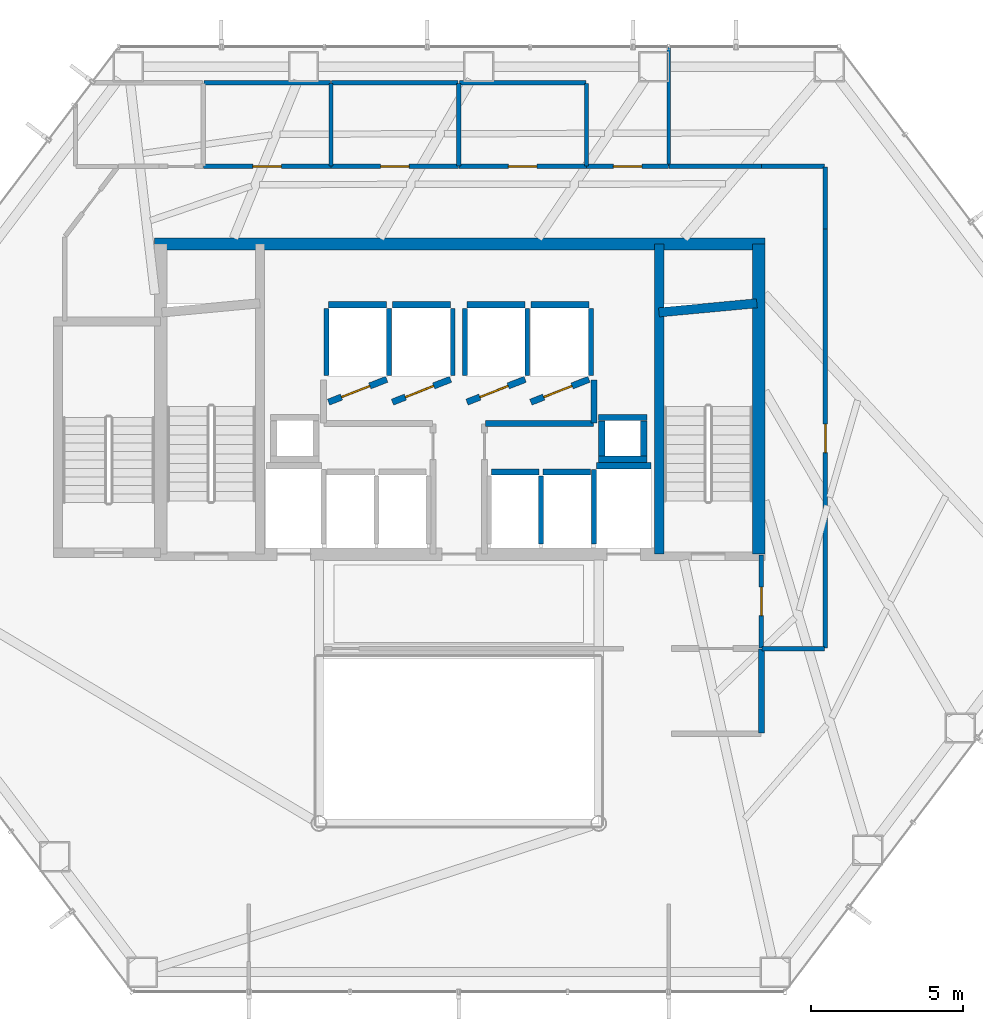
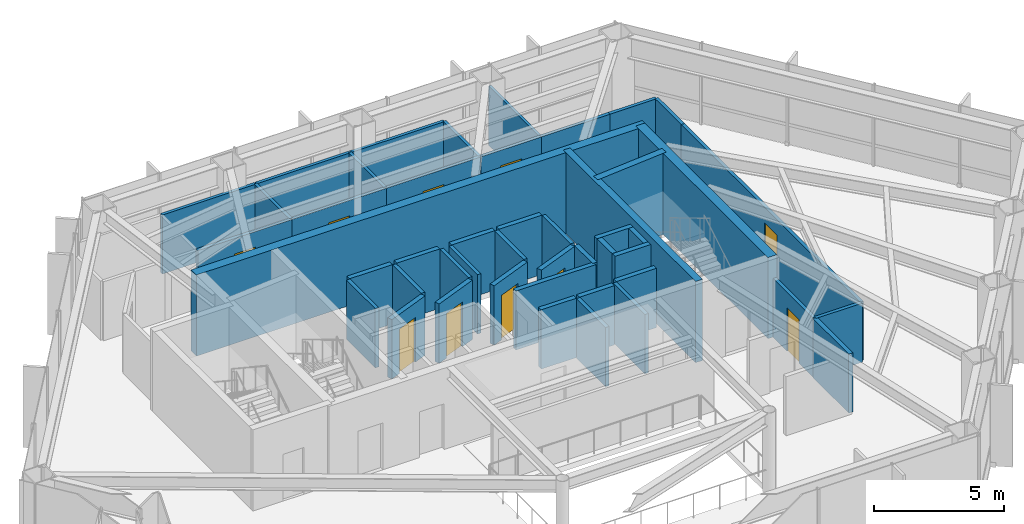
# One storey, part 23 of 25: 47 walls, 10 doors, 10 openings.
"""IFC4 building model written with IfcOpenShell, lengths in metres."""

from ifc_helpers import new_model, si_unit, direction, frame, frame_2d, origin, place, context, subcontext, project, spatial, rectangle, extrude, material, layer, layer_set, type_object, element, fill, save


model = new_model("IFC4")

# Units and contexts
model_context = context("Model", 3, precision=1e-05, world=origin(), true_north=direction((0.0, 1.0)))
body_context = subcontext(model_context, "Body", "Model", "MODEL_VIEW")
ifc_project = project(units=[si_unit("LENGTHUNIT", "METRE"), si_unit("AREAUNIT", "SQUARE_METRE"), si_unit("VOLUMEUNIT", "CUBIC_METRE"), si_unit("PLANEANGLEUNIT", "RADIAN"), si_unit("MASSUNIT", "GRAM", prefix="KILO")], contexts=[model_context])

# Site, building, storey
site_placement = place(None, origin())
site = spatial("IfcSite", under=ifc_project, at=site_placement, CompositionType="ELEMENT")
building_placement = place(site_placement, origin())
building = spatial("IfcBuilding", under=site, at=building_placement, Name="Zarrinselat Tower", CompositionType="ELEMENT")
storey_placement = place(building_placement, frame((0.0, 0.0, 52.02001953125)))
storey = spatial("IfcBuildingStorey", under=building, at=storey_placement, Name="L12", CompositionType="ELEMENT", Elevation=52.02001953125)

# Wall
ifc_material_1 = material(Name="Concrete C40/50", Category="concrete")
ifc_layer_1 = layer(ifc_material_1, 0.18994140625)
ifc_layer_set_1 = layer_set([ifc_layer_1], Name="Concrete C40/50")
wall_type_1 = type_object("IfcWallType", Name="WAL-PART-EI120", PredefinedType="PARTITIONING", material=ifc_layer_set_1)
wall_1_placement = place(storey_placement, frame((48.35009765625, 27.3701171875, 0.0), z_axis=(0.0, 0.0, 1.0), x_axis=(0.0, 1.0, 0.0)))
element("IfcWall", 1, at=wall_1_placement, inside=storey, type_object=wall_type_1, Name="L12 Partition Wall 11", PredefinedType="PARTITIONING", context=body_context, shape_type="SweptSolid", body=[
    extrude(rectangle(XDim=2.759765625, YDim=0.18994140625, at=frame_2d((1.3798828125, 0.0))), origin(), (0.0, 0.0, 1.0), 2.777099609375),
])

# Wall, opening, door
ifc_material_2 = material(Name="Fire-Rated Gypsum Board Partition", Category="gypsum")
ifc_layer_2 = layer(ifc_material_2, 0.14990234375)
ifc_layer_set_2 = layer_set([ifc_layer_2], Name="Fire-Rated Gypsum Board Partition")
wall_type_2 = type_object("IfcWallType", Name="WAL-PART-EI60", PredefinedType="PARTITIONING", material=ifc_layer_set_2)
wall_2_placement = place(storey_placement, frame((48.35009765625, 30.169921875, 0.0), z_axis=(0.0, 0.0, 1.0), x_axis=(0.0, 1.0, 0.0)))
wall_2 = element("IfcWall", 2, at=wall_2_placement, inside=storey, type_object=wall_type_2, Name="L12 Partition Wall 8", PredefinedType="PARTITIONING", context=body_context, shape_type="SweptSolid", body=[
    extrude(rectangle(XDim=3.06005859375, YDim=0.14990234375, at=frame_2d((1.530029296875, 0.0))), origin(), (0.0, 0.0, 1.0), 2.777099609375),
])
opening_1_placement = place(wall_2_placement, frame((1.06005859375, 0.0, 0.0)))
opening_1 = element("IfcOpeningElement", 3, at=opening_1_placement, cuts=wall_2, Name="Opening ID-04", PredefinedType="OPENING", context=body_context, shape_type="SweptSolid", body=[
    extrude(rectangle(XDim=0.93994140625, YDim=2.050048828125, at=frame_2d((0.469970703125, 1.02490234375))), frame((0.0, 0.0849609375, 0.0), z_axis=(0.0, -1.0, 0.0), x_axis=(1.0, 0.0, 0.0)), (0.0, 0.0, 1.0), 0.169921875),
])
ifc_material_3 = material(Name="Fire-Rated Gypsum Board Partition")
door_type_1 = type_object("IfcDoorType", Name="DR-INT-FD30-ENT", OperationType="NOTDEFINED", PredefinedType="DOOR", material=ifc_material_3)
door_1_placement = place(opening_1_placement, origin())
door_1 = element("IfcDoor", 4, at=door_1_placement, inside=storey, type_object=door_type_1, Name="L12 Interior Door P8", OperationType="SINGLE_SWING_RIGHT", OverallHeight=2.050048828125, OverallWidth=0.93994140625, PredefinedType="DOOR", context=body_context, shape_type="SweptSolid", body=[
    extrude(rectangle(XDim=0.93994140625, YDim=2.050048828125, at=frame_2d((0.469970703125, 1.02490234375))), frame((0.0, 0.02490234375, 0.0), z_axis=(0.0, -1.0, 0.0), x_axis=(1.0, 0.0, 0.0)), (0.0, 0.0, 1.0), 0.050048828125),
])
fill(opening_1, door_1)

wall_3_placement = place(storey_placement, frame((30.0048828125, 46.0, 0.0), z_axis=(0.0, 0.0, 1.0), x_axis=(1.0, 0.0, 0.0)))
wall_3 = element("IfcWall", 5, at=wall_3_placement, inside=storey, type_object=wall_type_2, Name="L12 Partition Wall 14", PredefinedType="PARTITIONING", context=body_context, shape_type="SweptSolid", body=[
    extrude(rectangle(XDim=4.190185546875, YDim=0.14990234375, at=frame_2d((2.09521484375, 0.0))), origin(), (0.0, 0.0, 1.0), 2.777099609375),
])
opening_2_placement = place(wall_3_placement, frame((1.625, 0.0, 0.0)))
opening_2 = element("IfcOpeningElement", 6, at=opening_2_placement, cuts=wall_3, Name="Opening ID-04", PredefinedType="OPENING", context=body_context, shape_type="SweptSolid", body=[
    extrude(rectangle(XDim=0.93994140625, YDim=2.050048828125, at=frame_2d((0.469970703125, 1.02490234375))), frame((0.0, 0.0849609375, 0.0), z_axis=(0.0, -1.0, 0.0), x_axis=(1.0, 0.0, 0.0)), (0.0, 0.0, 1.0), 0.169921875),
])
door_2_placement = place(opening_2_placement, origin())
door_2 = element("IfcDoor", 7, at=door_2_placement, inside=storey, type_object=door_type_1, Name="L12 Interior Door P14", OperationType="SINGLE_SWING_LEFT", OverallHeight=2.050048828125, OverallWidth=0.93994140625, PredefinedType="DOOR", context=body_context, shape_type="SweptSolid", body=[
    extrude(rectangle(XDim=0.93994140625, YDim=2.050048828125, at=frame_2d((0.469970703125, 1.02490234375))), frame((0.0, 0.02490234375, 0.0), z_axis=(0.0, -1.0, 0.0), x_axis=(1.0, 0.0, 0.0)), (0.0, 0.0, 1.0), 0.050048828125),
])
fill(opening_2, door_2)

wall_4_placement = place(storey_placement, frame((34.205078125, 46.0, 0.0), z_axis=(0.0, 0.0, 1.0), x_axis=(1.0, 0.0, 0.0)))
wall_4 = element("IfcWall", 8, at=wall_4_placement, inside=storey, type_object=wall_type_2, Name="L12 Partition Wall 15", PredefinedType="PARTITIONING", context=body_context, shape_type="SweptSolid", body=[
    extrude(rectangle(XDim=4.18994140625, YDim=0.14990234375, at=frame_2d((2.094970703125, 0.0))), origin(), (0.0, 0.0, 1.0), 2.777099609375),
])
opening_3_placement = place(wall_4_placement, frame((1.625, 0.0, 0.0)))
opening_3 = element("IfcOpeningElement", 9, at=opening_3_placement, cuts=wall_4, Name="Opening ID-04", PredefinedType="OPENING", context=body_context, shape_type="SweptSolid", body=[
    extrude(rectangle(XDim=0.93994140625, YDim=2.050048828125, at=frame_2d((0.469970703125, 1.02490234375))), frame((0.0, 0.0849609375, 0.0), z_axis=(0.0, -1.0, 0.0), x_axis=(1.0, 0.0, 0.0)), (0.0, 0.0, 1.0), 0.169921875),
])
door_3_placement = place(opening_3_placement, origin())
door_3 = element("IfcDoor", 10, at=door_3_placement, inside=storey, type_object=door_type_1, Name="L12 Interior Door P15", OperationType="SINGLE_SWING_RIGHT", OverallHeight=2.050048828125, OverallWidth=0.93994140625, PredefinedType="DOOR", context=body_context, shape_type="SweptSolid", body=[
    extrude(rectangle(XDim=0.93994140625, YDim=2.050048828125, at=frame_2d((0.469970703125, 1.02490234375))), frame((0.0, 0.02490234375, 0.0), z_axis=(0.0, -1.0, 0.0), x_axis=(1.0, 0.0, 0.0)), (0.0, 0.0, 1.0), 0.050048828125),
])
fill(opening_3, door_3)

wall_5_placement = place(storey_placement, frame((38.405029296875, 46.0, 0.0), z_axis=(0.0, 0.0, 1.0), x_axis=(1.0, 0.0, 0.0)))
wall_5 = element("IfcWall", 11, at=wall_5_placement, inside=storey, type_object=wall_type_2, Name="L12 Partition Wall 16", PredefinedType="PARTITIONING", context=body_context, shape_type="SweptSolid", body=[
    extrude(rectangle(XDim=4.18994140625, YDim=0.14990234375, at=frame_2d((2.094970703125, 0.0))), origin(), (0.0, 0.0, 1.0), 2.777099609375),
])
opening_4_placement = place(wall_5_placement, frame((1.625, 0.0, 0.0)))
opening_4 = element("IfcOpeningElement", 12, at=opening_4_placement, cuts=wall_5, Name="Opening ID-04", PredefinedType="OPENING", context=body_context, shape_type="SweptSolid", body=[
    extrude(rectangle(XDim=0.93994140625, YDim=2.050048828125, at=frame_2d((0.469970703125, 1.02490234375))), frame((0.0, 0.0849609375, 0.0), z_axis=(0.0, -1.0, 0.0), x_axis=(1.0, 0.0, 0.0)), (0.0, 0.0, 1.0), 0.169921875),
])
door_4_placement = place(opening_4_placement, origin())
door_4 = element("IfcDoor", 13, at=door_4_placement, inside=storey, type_object=door_type_1, Name="L12 Interior Door P16", OperationType="SINGLE_SWING_LEFT", OverallHeight=2.050048828125, OverallWidth=0.93994140625, PredefinedType="DOOR", context=body_context, shape_type="SweptSolid", body=[
    extrude(rectangle(XDim=0.93994140625, YDim=2.050048828125, at=frame_2d((0.469970703125, 1.02490234375))), frame((0.0, 0.02490234375, 0.0), z_axis=(0.0, -1.0, 0.0), x_axis=(1.0, 0.0, 0.0)), (0.0, 0.0, 1.0), 0.050048828125),
])
fill(opening_4, door_4)

# Walls
wall_6_placement = place(storey_placement, frame((45.304931640625, 46.0, 0.0), z_axis=(0.0, 0.0, 1.0), x_axis=(1.0, 0.0, 0.0)))
element("IfcWall", 14, at=wall_6_placement, inside=storey, type_object=wall_type_2, Name="L12 Partition Wall 19", PredefinedType="PARTITIONING", context=body_context, shape_type="SweptSolid", body=[
    extrude(rectangle(XDim=3.045166015625, YDim=0.14990234375, at=frame_2d((1.5224609375, 0.0))), origin(), (0.0, 0.0, 1.0), 2.777099609375),
])
wall_7_placement = place(storey_placement, frame((48.35009765625, 46.0, 0.0), z_axis=(0.0, 0.0, 1.0), x_axis=(1.0, 0.0, 0.0)))
element("IfcWall", 15, at=wall_7_placement, inside=storey, type_object=wall_type_2, Name="L12 Partition Wall 20", PredefinedType="PARTITIONING", context=body_context, shape_type="SweptSolid", body=[
    extrude(rectangle(XDim=2.079833984375, YDim=0.14990234375, at=frame_2d((1.0400390625, 0.0))), origin(), (0.0, 0.0, 1.0), 2.777099609375),
])
wall_8_placement = place(storey_placement, frame((50.449951171875, 43.949951171875, 0.0), z_axis=(0.0, 0.0, 1.0), x_axis=(0.0, 1.0, 0.0)))
element("IfcWall", 16, at=wall_8_placement, inside=storey, type_object=wall_type_2, Name="L12 Partition Wall 21", PredefinedType="PARTITIONING", context=body_context, shape_type="SweptSolid", body=[
    extrude(rectangle(XDim=2.030029296875, YDim=0.14990234375, at=frame_2d((1.01513671875, 0.0))), origin(), (0.0, 0.0, 1.0), 2.777099609375),
])

# Wall, opening, door
wall_9_placement = place(storey_placement, frame((50.449951171875, 30.169921875, 0.0), z_axis=(0.0, 0.0, 1.0), x_axis=(0.0, 1.0, 0.0)))
wall_9 = element("IfcWall", 17, at=wall_9_placement, inside=storey, type_object=wall_type_2, Name="L12 Partition Wall 22", PredefinedType="PARTITIONING", context=body_context, shape_type="SweptSolid", body=[
    extrude(rectangle(XDim=13.780029296875, YDim=0.14990234375, at=frame_2d((6.89013671875, 0.0))), origin(), (0.0, 0.0, 1.0), 2.777099609375),
])
opening_5_placement = place(wall_9_placement, frame((6.419921875, 0.0, 0.0)))
opening_5 = element("IfcOpeningElement", 18, at=opening_5_placement, cuts=wall_9, Name="Opening ID-04", PredefinedType="OPENING", context=body_context, shape_type="SweptSolid", body=[
    extrude(rectangle(XDim=0.93994140625, YDim=2.050048828125, at=frame_2d((0.469970703125, 1.02490234375))), frame((0.0, 0.0849609375, 0.0), z_axis=(0.0, -1.0, 0.0), x_axis=(1.0, 0.0, 0.0)), (0.0, 0.0, 1.0), 0.169921875),
])
door_5_placement = place(opening_5_placement, origin())
door_5 = element("IfcDoor", 19, at=door_5_placement, inside=storey, type_object=door_type_1, Name="L12 Interior Door P22", OperationType="SINGLE_SWING_LEFT", OverallHeight=2.050048828125, OverallWidth=0.93994140625, PredefinedType="DOOR", context=body_context, shape_type="SweptSolid", body=[
    extrude(rectangle(XDim=0.93994140625, YDim=2.050048828125, at=frame_2d((0.469970703125, 1.02490234375))), frame((0.0, 0.02490234375, 0.0), z_axis=(0.0, -1.0, 0.0), x_axis=(1.0, 0.0, 0.0)), (0.0, 0.0, 1.0), 0.050048828125),
])
fill(opening_5, door_5)

# Wall
wall_10_placement = place(storey_placement, frame((48.3701171875, 30.14990234375, 0.0), z_axis=(0.0, 0.0, 1.0), x_axis=(1.0, 0.0, 0.0)))
element("IfcWall", 20, at=wall_10_placement, inside=storey, type_object=wall_type_2, Name="L12 Partition Wall 23", PredefinedType="PARTITIONING", context=body_context, shape_type="SweptSolid", body=[
    extrude(rectangle(XDim=2.059814453125, YDim=0.14990234375, at=frame_2d((1.02978515625, 0.0))), origin(), (0.0, 0.0, 1.0), 2.777099609375),
])

# Wall, opening, door
wall_11_placement = place(storey_placement, frame((42.60498046875, 46.0, 0.0), z_axis=(0.0, 0.0, 1.0), x_axis=(1.0, 0.0, 0.0)))
wall_11 = element("IfcWall", 21, at=wall_11_placement, inside=storey, type_object=wall_type_2, Name="L12 Partition Wall 24", PredefinedType="PARTITIONING", context=body_context, shape_type="SweptSolid", body=[
    extrude(rectangle(XDim=2.68994140625, YDim=0.14990234375, at=frame_2d((1.344970703125, 0.0))), origin(), (0.0, 0.0, 1.0), 2.777099609375),
])
opening_6_placement = place(wall_11_placement, frame((0.875, 0.0, 0.0)))
opening_6 = element("IfcOpeningElement", 22, at=opening_6_placement, cuts=wall_11, Name="Opening ID-04", PredefinedType="OPENING", context=body_context, shape_type="SweptSolid", body=[
    extrude(rectangle(XDim=0.93994140625, YDim=2.050048828125, at=frame_2d((0.469970703125, 1.02490234375))), frame((0.0, 0.0849609375, 0.0), z_axis=(0.0, -1.0, 0.0), x_axis=(1.0, 0.0, 0.0)), (0.0, 0.0, 1.0), 0.169921875),
])
door_6_placement = place(opening_6_placement, origin())
door_6 = element("IfcDoor", 23, at=door_6_placement, inside=storey, type_object=door_type_1, Name="L12 Interior Door P24", OperationType="SINGLE_SWING_RIGHT", OverallHeight=2.050048828125, OverallWidth=0.93994140625, PredefinedType="DOOR", context=body_context, shape_type="SweptSolid", body=[
    extrude(rectangle(XDim=0.93994140625, YDim=2.050048828125, at=frame_2d((0.469970703125, 1.02490234375))), frame((0.0, 0.02490234375, 0.0), z_axis=(0.0, -1.0, 0.0), x_axis=(1.0, 0.0, 0.0)), (0.0, 0.0, 1.0), 0.050048828125),
])
fill(opening_6, door_6)

# Walls
ifc_material_4 = material(Name="Concrete C40/50", Category="concrete")
ifc_layer_3 = layer(ifc_material_4, 0.199951171875)
ifc_layer_set_3 = layer_set([ifc_layer_3], Name="Concrete C40/50")
wall_type_3 = type_object("IfcWallType", Name="WAL-PART-PLANT", PredefinedType="PARTITIONING", material=ifc_layer_set_3)
wall_12_placement = place(storey_placement, frame((42.85009765625, 37.570068359375, 0.0), z_axis=(0.0, 0.0, 1.0), x_axis=(0.0, 1.0, 0.0)))
element("IfcWall", 24, at=wall_12_placement, inside=storey, type_object=wall_type_3, Name="L12 Partition Wall 4", PredefinedType="PARTITIONING", context=body_context, shape_type="SweptSolid", body=[
    extrude(rectangle(XDim=1.4150390625, YDim=0.199951171875, at=frame_2d((0.70751953125, 0.0))), origin(), (0.0, 0.0, 1.0), 2.777099609375),
])
wall_13_placement = place(storey_placement, frame((39.27001953125, 37.550048828125, 0.0), z_axis=(0.0, 0.0, 1.0), x_axis=(1.0, 0.0, 0.0)))
element("IfcWall", 25, at=wall_13_placement, inside=storey, type_object=wall_type_3, Name="L12 Partition Wall 5", PredefinedType="PARTITIONING", context=body_context, shape_type="SweptSolid", body=[
    extrude(rectangle(XDim=3.56005859375, YDim=0.199951171875, at=frame_2d((1.780029296875, 0.0))), origin(), (0.0, 0.0, 1.0), 2.777099609375),
])
ifc_material_5 = material(Name="Fire-Rated Gypsum Board Partition", Category="gypsum")
ifc_layer_4 = layer(ifc_material_5, 0.1201171875)
ifc_layer_set_4 = layer_set([ifc_layer_4], Name="Fire-Rated Gypsum Board Partition")
wall_type_4 = type_object("IfcWallType", Name="WAL-PART-STD", PredefinedType="PARTITIONING", material=ifc_layer_set_4)
wall_14_placement = place(storey_placement, frame((45.300048828125, 46.02001953125, 0.0), z_axis=(0.0, 0.0, 1.0), x_axis=(0.0, 1.0, 0.0)))
element("IfcWall", 26, at=wall_14_placement, inside=storey, type_object=wall_type_4, Name="L12 Partition Wall 37", PredefinedType="PARTITIONING", context=body_context, shape_type="SweptSolid", body=[
    extrude(rectangle(XDim=3.892822265625, YDim=0.1201171875, at=frame_2d((1.9462890625, 0.0))), origin(), (0.0, 0.0, 1.0), 2.777099609375),
])
ifc_material_6 = material(Name="Fire-Rated Gypsum Board Partition", Category="gypsum")
ifc_layer_5 = layer(ifc_material_6, 0.135009765625)
ifc_layer_set_5 = layer_set([ifc_layer_5], Name="Fire-Rated Gypsum Board Partition")
wall_type_5 = type_object("IfcWallType", Name="WAL-PART-WET", PredefinedType="PARTITIONING", material=ifc_layer_set_5)
wall_15_placement = place(storey_placement, frame((34.199951171875, 46.02001953125, 0.0), z_axis=(0.0, 0.0, 1.0), x_axis=(0.0, 1.0, 0.0)))
element("IfcWall", 27, at=wall_15_placement, inside=storey, type_object=wall_type_5, Name="L12 Partition Wall 29", PredefinedType="PARTITIONING", context=body_context, shape_type="SweptSolid", body=[
    extrude(rectangle(XDim=2.7099609375, YDim=0.135009765625, at=frame_2d((1.35498046875, 0.0))), origin(), (0.0, 0.0, 1.0), 2.777099609375),
])
wall_16_placement = place(storey_placement, frame((30.02001953125, 48.75, 0.0), z_axis=(0.0, 0.0, 1.0), x_axis=(1.0, 0.0, 0.0)))
element("IfcWall", 28, at=wall_16_placement, inside=storey, type_object=wall_type_5, Name="L12 Partition Wall 30", PredefinedType="PARTITIONING", context=body_context, shape_type="SweptSolid", body=[
    extrude(rectangle(XDim=4.159912109375, YDim=0.135009765625, at=frame_2d((2.080078125, 0.0))), origin(), (0.0, 0.0, 1.0), 2.777099609375),
])
wall_17_placement = place(storey_placement, frame((38.39990234375, 46.02001953125, 0.0), z_axis=(0.0, 0.0, 1.0), x_axis=(0.0, 1.0, 0.0)))
element("IfcWall", 29, at=wall_17_placement, inside=storey, type_object=wall_type_5, Name="L12 Partition Wall 31", PredefinedType="PARTITIONING", context=body_context, shape_type="SweptSolid", body=[
    extrude(rectangle(XDim=2.7099609375, YDim=0.135009765625, at=frame_2d((1.35498046875, 0.0))), origin(), (0.0, 0.0, 1.0), 2.777099609375),
])
wall_18_placement = place(storey_placement, frame((34.219970703125, 48.75, 0.0), z_axis=(0.0, 0.0, 1.0), x_axis=(1.0, 0.0, 0.0)))
element("IfcWall", 30, at=wall_18_placement, inside=storey, type_object=wall_type_5, Name="L12 Partition Wall 32", PredefinedType="PARTITIONING", context=body_context, shape_type="SweptSolid", body=[
    extrude(rectangle(XDim=4.159912109375, YDim=0.135009765625, at=frame_2d((2.080078125, 0.0))), origin(), (0.0, 0.0, 1.0), 2.777099609375),
])
wall_19_placement = place(storey_placement, frame((38.419921875, 48.75, 0.0), z_axis=(0.0, 0.0, 1.0), x_axis=(1.0, 0.0, 0.0)))
element("IfcWall", 31, at=wall_19_placement, inside=storey, type_object=wall_type_5, Name="L12 Partition Wall 33", PredefinedType="PARTITIONING", context=body_context, shape_type="SweptSolid", body=[
    extrude(rectangle(XDim=4.16015625, YDim=0.135009765625, at=frame_2d((2.080078125, 0.0))), origin(), (0.0, 0.0, 1.0), 2.777099609375),
])
wall_20_placement = place(storey_placement, frame((42.60009765625, 46.02001953125, 0.0), z_axis=(0.0, 0.0, 1.0), x_axis=(0.0, 1.0, 0.0)))
element("IfcWall", 32, at=wall_20_placement, inside=storey, type_object=wall_type_5, Name="L12 Partition Wall 34", PredefinedType="PARTITIONING", context=body_context, shape_type="SweptSolid", body=[
    extrude(rectangle(XDim=2.7099609375, YDim=0.135009765625, at=frame_2d((1.35498046875, 0.0))), origin(), (0.0, 0.0, 1.0), 2.777099609375),
])
ifc_material_7 = material(Name="Concrete C40/50", Category="concrete")
ifc_layer_6 = layer(ifc_material_7, 0.2099609375)
ifc_layer_set_6 = layer_set([ifc_layer_6], Name="Concrete C40/50")
wall_type_6 = type_object("IfcWallType", Name="WAL-SHAFT-210", PredefinedType="SOLIDWALL", material=ifc_layer_set_6)
wall_21_placement = place(storey_placement, frame((42.919921875, 36.155029296875, 0.0), z_axis=(0.0, 0.0, 1.0), x_axis=(1.0, 0.0, 0.0)))
element("IfcWall", 33, at=wall_21_placement, inside=storey, type_object=wall_type_6, Name="L12 Lift FFL2 North Shaft Wall", PredefinedType="SOLIDWALL", context=body_context, shape_type="SweptSolid", body=[
    extrude(rectangle(XDim=1.800048828125, YDim=0.2099609375, at=frame_2d((0.89990234375, 0.0))), origin(), (0.0, 0.0, 1.0), 2.7919921875),
])
wall_22_placement = place(storey_placement, frame((42.85009765625, 33.580078125, 0.0), z_axis=(0.0, 0.0, 1.0), x_axis=(0.0, 1.0, 0.0)))
element("IfcWall", 34, at=wall_22_placement, inside=storey, type_object=wall_type_6, Name="L12 Lift FFL2 W Shaft Wall", PredefinedType="SOLIDWALL", context=body_context, shape_type="SweptSolid", body=[
    extrude(rectangle(XDim=2.449951171875, YDim=0.159912109375, at=frame_2d((1.22509765625, 0.0))), origin(), (0.0, 0.0, 1.0), 2.7919921875),
])

# Wall, opening, door
wall_23_placement = place(storey_placement, frame((34.1201171875, 38.25, 0.0), z_axis=(0.0, 0.0, 1.0), x_axis=(0.930804993012, 0.36551616241, 0.0)))
wall_23 = element("IfcWall", 35, at=wall_23_placement, inside=storey, type_object=wall_type_6, Name="L12 Lift PL1 Front Shaft Wall", PredefinedType="SOLIDWALL", context=body_context, shape_type="SweptSolid", body=[
    extrude(rectangle(XDim=2.052001953125, YDim=0.2099609375, at=frame_2d((1.02587890625, 0.0))), origin(), (0.0, 0.0, 1.0), 2.7919921875),
])
opening_7_placement = place(wall_23_placement, frame((0.455078125, 0.0, 0.0)))
opening_7 = element("IfcOpeningElement", 36, at=opening_7_placement, cuts=wall_23, Name="Opening LD-PL1", PredefinedType="OPENING", context=body_context, shape_type="SweptSolid", body=[
    extrude(rectangle(XDim=1.0, YDim=2.10009765625, at=frame_2d((0.5, 1.050048828125))), frame((0.0, 0.114990234375, 0.0), z_axis=(0.0, -1.0, 0.0), x_axis=(1.0, 0.0, 0.0)), (0.0, 0.0, 1.0), 0.22998046875),
])
ifc_material_8 = material(Name="Steel S355J2", Category="steel")
door_type_2 = type_object("IfcDoorType", Name="DR-LIFT-PS-1000", OperationType="NOTDEFINED", PredefinedType="DOOR", material=ifc_material_8)
door_7_placement = place(opening_7_placement, origin())
door_7 = element("IfcDoor", 37, at=door_7_placement, inside=storey, type_object=door_type_2, Name="L12 Lift PL1 Sliding Landing Door", OperationType="SLIDING_TO_LEFT", OverallHeight=2.10009765625, OverallWidth=1.0, PredefinedType="DOOR", context=body_context, shape_type="SweptSolid", body=[
    extrude(rectangle(XDim=1.0, YDim=2.10009765625, at=frame_2d((0.5, 1.050048828125))), frame((0.0, 0.02490234375, 0.0), z_axis=(0.0, -1.0, 0.0), x_axis=(1.0, 0.0, 0.0)), (0.0, 0.0, 1.0), 0.050048828125),
])
fill(opening_7, door_7)

# Walls
wall_24_placement = place(storey_placement, frame((34.1201171875, 41.455078125, 0.0), z_axis=(0.0, 0.0, 1.0), x_axis=(1.0, 0.0, 0.0)))
element("IfcWall", 38, at=wall_24_placement, inside=storey, type_object=wall_type_6, Name="L12 Lift PL1 Rear Shaft Wall", PredefinedType="SOLIDWALL", context=body_context, shape_type="SweptSolid", body=[
    extrude(rectangle(XDim=1.909912109375, YDim=0.2099609375, at=frame_2d((0.955078125, 0.0))), origin(), (0.0, 0.0, 1.0), 2.7919921875),
])
for number, where, z_axis, x_axis, name in (
    (39, (34.050048828125, 39.1201171875, 0.0), (0.0, 0.0, 1.0), (0.0, 1.0, 0.0), "L12 Lift PL1 W Shaft Wall"),
    (40, (36.10009765625, 39.1201171875, 0.0), (0.0, 0.0, 1.0), (0.0, 1.0, 0.0), "L12 Lift PL1 E Shaft Wall"),
):
    element("IfcWall", number, at=place(storey_placement, frame(where, z_axis=z_axis, x_axis=x_axis)), inside=storey, type_object=wall_type_6, Name=name, PredefinedType="SOLIDWALL", context=body_context, shape_type="SweptSolid", body=[
        extrude(rectangle(XDim=2.2099609375, YDim=0.159912109375, at=frame_2d((1.10498046875, 0.0))), origin(), (0.0, 0.0, 1.0), 2.7919921875),
    ])

# Wall, opening, door
wall_25_placement = place(storey_placement, frame((36.219970703125, 38.25, 0.0), z_axis=(0.0, 0.0, 1.0), x_axis=(0.930804993012, 0.36551616241, 0.0)))
wall_25 = element("IfcWall", 41, at=wall_25_placement, inside=storey, type_object=wall_type_6, Name="L12 Lift PL2 Front Shaft Wall", PredefinedType="SOLIDWALL", context=body_context, shape_type="SweptSolid", body=[
    extrude(rectangle(XDim=2.052001953125, YDim=0.2099609375, at=frame_2d((1.02587890625, 0.0))), origin(), (0.0, 0.0, 1.0), 2.7919921875),
])
opening_8_placement = place(wall_25_placement, frame((0.455078125, 0.0, 0.0)))
opening_8 = element("IfcOpeningElement", 42, at=opening_8_placement, cuts=wall_25, Name="Opening LD-PL2", PredefinedType="OPENING", context=body_context, shape_type="SweptSolid", body=[
    extrude(rectangle(XDim=1.0, YDim=2.10009765625, at=frame_2d((0.5, 1.050048828125))), frame((0.0, 0.114990234375, 0.0), z_axis=(0.0, -1.0, 0.0), x_axis=(1.0, 0.0, 0.0)), (0.0, 0.0, 1.0), 0.22998046875),
])
door_8_placement = place(opening_8_placement, origin())
door_8 = element("IfcDoor", 43, at=door_8_placement, inside=storey, type_object=door_type_2, Name="L12 Lift PL2 Sliding Landing Door", OperationType="SLIDING_TO_RIGHT", OverallHeight=2.10009765625, OverallWidth=1.0, PredefinedType="DOOR", context=body_context, shape_type="SweptSolid", body=[
    extrude(rectangle(XDim=1.0, YDim=2.10009765625, at=frame_2d((0.5, 1.050048828125))), frame((0.0, 0.02490234375, 0.0), z_axis=(0.0, -1.0, 0.0), x_axis=(1.0, 0.0, 0.0)), (0.0, 0.0, 1.0), 0.050048828125),
])
fill(opening_8, door_8)

# Walls
wall_26_placement = place(storey_placement, frame((36.219970703125, 41.455078125, 0.0), z_axis=(0.0, 0.0, 1.0), x_axis=(1.0, 0.0, 0.0)))
element("IfcWall", 44, at=wall_26_placement, inside=storey, type_object=wall_type_6, Name="L12 Lift PL2 Rear Shaft Wall", PredefinedType="SOLIDWALL", context=body_context, shape_type="SweptSolid", body=[
    extrude(rectangle(XDim=1.909912109375, YDim=0.2099609375, at=frame_2d((0.955078125, 0.0))), origin(), (0.0, 0.0, 1.0), 2.7919921875),
])
wall_27_placement = place(storey_placement, frame((38.199951171875, 39.1201171875, 0.0), z_axis=(0.0, 0.0, 1.0), x_axis=(0.0, 1.0, 0.0)))
element("IfcWall", 45, at=wall_27_placement, inside=storey, type_object=wall_type_6, Name="L12 Lift PL2 E Shaft Wall", PredefinedType="SOLIDWALL", context=body_context, shape_type="SweptSolid", body=[
    extrude(rectangle(XDim=2.2099609375, YDim=0.159912109375, at=frame_2d((1.10498046875, 0.0))), origin(), (0.0, 0.0, 1.0), 2.7919921875),
])

# Wall, opening, door
wall_28_placement = place(storey_placement, frame((38.669921875, 38.25, 0.0), z_axis=(0.0, 0.0, 1.0), x_axis=(0.930820886763, 0.3654756856, 0.0)))
wall_28 = element("IfcWall", 46, at=wall_28_placement, inside=storey, type_object=wall_type_6, Name="L12 Lift PL3 Front Shaft Wall", PredefinedType="SOLIDWALL", context=body_context, shape_type="SweptSolid", body=[
    extrude(rectangle(XDim=2.052001953125, YDim=0.2099609375, at=frame_2d((1.02587890625, 0.0))), origin(), (0.0, 0.0, 1.0), 2.7919921875),
])
opening_9_placement = place(wall_28_placement, frame((0.455078125, 0.0, 0.0)))
opening_9 = element("IfcOpeningElement", 47, at=opening_9_placement, cuts=wall_28, Name="Opening LD-PL3", PredefinedType="OPENING", context=body_context, shape_type="SweptSolid", body=[
    extrude(rectangle(XDim=1.0, YDim=2.10009765625, at=frame_2d((0.5, 1.050048828125))), frame((0.0, 0.114990234375, 0.0), z_axis=(0.0, -1.0, 0.0), x_axis=(1.0, 0.0, 0.0)), (0.0, 0.0, 1.0), 0.22998046875),
])
door_9_placement = place(opening_9_placement, origin())
door_9 = element("IfcDoor", 48, at=door_9_placement, inside=storey, type_object=door_type_2, Name="L12 Lift PL3 Sliding Landing Door", OperationType="SLIDING_TO_LEFT", OverallHeight=2.10009765625, OverallWidth=1.0, PredefinedType="DOOR", context=body_context, shape_type="SweptSolid", body=[
    extrude(rectangle(XDim=1.0, YDim=2.10009765625, at=frame_2d((0.5, 1.050048828125))), frame((0.0, 0.02490234375, 0.0), z_axis=(0.0, -1.0, 0.0), x_axis=(1.0, 0.0, 0.0)), (0.0, 0.0, 1.0), 0.050048828125),
])
fill(opening_9, door_9)

# Walls
wall_29_placement = place(storey_placement, frame((38.669921875, 41.455078125, 0.0), z_axis=(0.0, 0.0, 1.0), x_axis=(1.0, 0.0, 0.0)))
element("IfcWall", 49, at=wall_29_placement, inside=storey, type_object=wall_type_6, Name="L12 Lift PL3 Rear Shaft Wall", PredefinedType="SOLIDWALL", context=body_context, shape_type="SweptSolid", body=[
    extrude(rectangle(XDim=1.91015625, YDim=0.2099609375, at=frame_2d((0.955078125, 0.0))), origin(), (0.0, 0.0, 1.0), 2.7919921875),
])
for number, where, z_axis, x_axis, name in (
    (50, (38.60009765625, 39.1201171875, 0.0), (0.0, 0.0, 1.0), (0.0, 1.0, 0.0), "L12 Lift PL3 W Shaft Wall"),
    (51, (40.64990234375, 39.1201171875, 0.0), (0.0, 0.0, 1.0), (0.0, 1.0, 0.0), "L12 Lift PL3 E Shaft Wall"),
):
    element("IfcWall", number, at=place(storey_placement, frame(where, z_axis=z_axis, x_axis=x_axis)), inside=storey, type_object=wall_type_6, Name=name, PredefinedType="SOLIDWALL", context=body_context, shape_type="SweptSolid", body=[
        extrude(rectangle(XDim=2.2099609375, YDim=0.159912109375, at=frame_2d((1.10498046875, 0.0))), origin(), (0.0, 0.0, 1.0), 2.7919921875),
    ])

# Wall, opening, door
wall_30_placement = place(storey_placement, frame((40.77001953125, 38.25, 0.0), z_axis=(0.0, 0.0, 1.0), x_axis=(0.930804993012, 0.36551616241, 0.0)))
wall_30 = element("IfcWall", 52, at=wall_30_placement, inside=storey, type_object=wall_type_6, Name="L12 Lift PL4 Front Shaft Wall", PredefinedType="SOLIDWALL", context=body_context, shape_type="SweptSolid", body=[
    extrude(rectangle(XDim=2.052001953125, YDim=0.2099609375, at=frame_2d((1.02587890625, 0.0))), origin(), (0.0, 0.0, 1.0), 2.7919921875),
])
opening_10_placement = place(wall_30_placement, frame((0.455078125, 0.0, 0.0)))
opening_10 = element("IfcOpeningElement", 53, at=opening_10_placement, cuts=wall_30, Name="Opening LD-PL4", PredefinedType="OPENING", context=body_context, shape_type="SweptSolid", body=[
    extrude(rectangle(XDim=1.0, YDim=2.10009765625, at=frame_2d((0.5, 1.050048828125))), frame((0.0, 0.114990234375, 0.0), z_axis=(0.0, -1.0, 0.0), x_axis=(1.0, 0.0, 0.0)), (0.0, 0.0, 1.0), 0.22998046875),
])
door_10_placement = place(opening_10_placement, origin())
door_10 = element("IfcDoor", 54, at=door_10_placement, inside=storey, type_object=door_type_2, Name="L12 Lift PL4 Sliding Landing Door", OperationType="SLIDING_TO_RIGHT", OverallHeight=2.10009765625, OverallWidth=1.0, PredefinedType="DOOR", context=body_context, shape_type="SweptSolid", body=[
    extrude(rectangle(XDim=1.0, YDim=2.10009765625, at=frame_2d((0.5, 1.050048828125))), frame((0.0, 0.02490234375, 0.0), z_axis=(0.0, -1.0, 0.0), x_axis=(1.0, 0.0, 0.0)), (0.0, 0.0, 1.0), 0.050048828125),
])
fill(opening_10, door_10)

# Walls
wall_31_placement = place(storey_placement, frame((40.77001953125, 41.455078125, 0.0), z_axis=(0.0, 0.0, 1.0), x_axis=(1.0, 0.0, 0.0)))
element("IfcWall", 55, at=wall_31_placement, inside=storey, type_object=wall_type_6, Name="L12 Lift PL4 Rear Shaft Wall", PredefinedType="SOLIDWALL", context=body_context, shape_type="SweptSolid", body=[
    extrude(rectangle(XDim=1.909912109375, YDim=0.2099609375, at=frame_2d((0.955078125, 0.0))), origin(), (0.0, 0.0, 1.0), 2.7919921875),
])
wall_32_placement = place(storey_placement, frame((42.75, 39.1201171875, 0.0), z_axis=(0.0, 0.0, 1.0), x_axis=(0.0, 1.0, 0.0)))
element("IfcWall", 56, at=wall_32_placement, inside=storey, type_object=wall_type_6, Name="L12 Lift PL4 E Shaft Wall", PredefinedType="SOLIDWALL", context=body_context, shape_type="SweptSolid", body=[
    extrude(rectangle(XDim=2.2099609375, YDim=0.159912109375, at=frame_2d((1.10498046875, 0.0))), origin(), (0.0, 0.0, 1.0), 2.7919921875),
])
wall_33_placement = place(storey_placement, frame((39.469970703125, 35.955078125, 0.0), z_axis=(0.0, 0.0, 1.0), x_axis=(1.0, 0.0, 0.0)))
element("IfcWall", 57, at=wall_33_placement, inside=storey, type_object=wall_type_6, Name="L12 Lift PL8 North Shaft Wall", PredefinedType="SOLIDWALL", context=body_context, shape_type="SweptSolid", body=[
    extrude(rectangle(XDim=1.56005859375, YDim=0.2099609375, at=frame_2d((0.780029296875, 0.0))), origin(), (0.0, 0.0, 1.0), 2.7919921875),
])
wall_34_placement = place(storey_placement, frame((41.10009765625, 33.580078125, 0.0), z_axis=(0.0, 0.0, 1.0), x_axis=(0.0, 1.0, 0.0)))
element("IfcWall", 58, at=wall_34_placement, inside=storey, type_object=wall_type_6, Name="L12 Lift PL8 E Shaft Wall", PredefinedType="SOLIDWALL", context=body_context, shape_type="SweptSolid", body=[
    extrude(rectangle(XDim=2.25, YDim=0.159912109375, at=frame_2d((1.125, 0.0))), origin(), (0.0, 0.0, 1.0), 2.7919921875),
])
wall_35_placement = place(storey_placement, frame((41.169921875, 35.955078125, 0.0), z_axis=(0.0, 0.0, 1.0), x_axis=(1.0, 0.0, 0.0)))
element("IfcWall", 59, at=wall_35_placement, inside=storey, type_object=wall_type_6, Name="L12 Lift PL9 North Shaft Wall", PredefinedType="SOLIDWALL", context=body_context, shape_type="SweptSolid", body=[
    extrude(rectangle(XDim=1.56005859375, YDim=0.2099609375, at=frame_2d((0.780029296875, 0.0))), origin(), (0.0, 0.0, 1.0), 2.7919921875),
])
for number, where, z_axis, x_axis, name in (
    (60, (42.989990234375, 36.375, 0.0), (0.0, 0.0, 1.0), (1.0, 0.0, 0.0), "L12 Core Riser RSR-E S Shaft Wall"),
    (61, (42.989990234375, 37.7451171875, 0.0), (0.0, 0.0, 1.0), (1.0, 0.0, 0.0), "L12 Core Riser RSR-E N Shaft Wall"),
):
    element("IfcWall", number, at=place(storey_placement, frame(where, z_axis=z_axis, x_axis=x_axis)), inside=storey, type_object=wall_type_6, Name=name, PredefinedType="SOLIDWALL", context=body_context, shape_type="SweptSolid", body=[
        extrude(rectangle(XDim=1.60009765625, YDim=0.2099609375, at=frame_2d((0.800048828125, 0.0))), origin(), (0.0, 0.0, 1.0), 3.820068359375),
    ])
for number, where, z_axis, x_axis, name in (
    (62, (43.094970703125, 36.485107421875, 0.0), (0.0, 0.0, 1.0), (0.0, 1.0, 0.0), "L12 Core Riser RSR-E W Shaft Wall"),
    (63, (44.485107421875, 36.485107421875, 0.0), (0.0, 0.0, 1.0), (0.0, 1.0, 0.0), "L12 Core Riser RSR-E E Shaft Wall"),
):
    element("IfcWall", number, at=place(storey_placement, frame(where, z_axis=z_axis, x_axis=x_axis)), inside=storey, type_object=wall_type_6, Name=name, PredefinedType="SOLIDWALL", context=body_context, shape_type="SweptSolid", body=[
        extrude(rectangle(XDim=1.14990234375, YDim=0.2099609375, at=frame_2d((0.574951171875, 0.0))), origin(), (0.0, 0.0, 1.0), 3.820068359375),
    ])
ifc_material_9 = material(Name="Concrete C40/50", Category="concrete")
ifc_layer_7 = layer(ifc_material_9, 0.300048828125)
ifc_layer_set_7 = layer_set([ifc_layer_7], Name="Concrete C40/50")
wall_type_7 = type_object("IfcWallType", Name="WAL-SHEAR-300", PredefinedType="SHEAR", material=ifc_layer_set_7)
wall_36_placement = place(storey_placement, frame((44.989990234375, 33.25, 0.0), z_axis=(0.0, 0.0, 1.0), x_axis=(0.0, 1.0, 0.0)))
element("IfcWall", 64, at=wall_36_placement, inside=storey, type_object=wall_type_7, Name="L12 Core Shear Wall ST2W", PredefinedType="SHEAR", context=body_context, shape_type="SweptSolid", body=[
    extrude(rectangle(XDim=10.199951171875, YDim=0.300048828125, at=frame_2d((5.10009765625, 0.0))), origin(), (0.0, 0.0, 1.0), 3.820068359375),
])
wall_37_placement = place(storey_placement, frame((44.97998046875, 41.199951171875, 0.0), z_axis=(0.0, 0.0, 1.0), x_axis=(0.995686468965, 0.09278176286, 0.0)))
element("IfcWall", 65, at=wall_37_placement, inside=storey, type_object=wall_type_7, Name="L12 Stair 2 North Shaft Wall", PredefinedType="SHEAR", context=body_context, shape_type="SweptSolid", body=[
    extrude(rectangle(XDim=3.23388671875, YDim=0.300048828125, at=frame_2d((1.616943359375, 0.0))), origin(), (0.0, 0.0, 1.0), 3.820068359375),
])
ifc_material_10 = material(Name="Concrete C60/75", Category="concrete")
ifc_layer_8 = layer(ifc_material_10, 0.39990234375)
ifc_layer_set_8 = layer_set([ifc_layer_8], Name="Concrete C60/75")
wall_type_8 = type_object("IfcWallType", Name="WAL-SHEAR-400", PredefinedType="SHEAR", material=ifc_layer_set_8)
wall_38_placement = place(storey_placement, frame((28.39990234375, 43.449951171875, 0.0), z_axis=(0.0, 0.0, 1.0), x_axis=(1.0, 0.0, 0.0)))
element("IfcWall", 66, at=wall_38_placement, inside=storey, type_object=wall_type_8, Name="L12 North Core Shear Wall", PredefinedType="SHEAR", context=body_context, shape_type="SweptSolid", body=[
    extrude(rectangle(XDim=20.06005859375, YDim=0.39990234375, at=frame_2d((10.030029296875, 0.0))), origin(), (0.0, 0.0, 1.0), 3.820068359375),
])
wall_39_placement = place(storey_placement, frame((48.260009765625, 33.25, 0.0), z_axis=(0.0, 0.0, 1.0), x_axis=(0.0, 1.0, 0.0)))
element("IfcWall", 67, at=wall_39_placement, inside=storey, type_object=wall_type_8, Name="L12 Core Shear Wall E", PredefinedType="SHEAR", context=body_context, shape_type="SweptSolid", body=[
    extrude(rectangle(XDim=10.199951171875, YDim=0.39990234375, at=frame_2d((5.10009765625, 0.0))), origin(), (0.0, 0.0, 1.0), 3.820068359375),
])

save(model, "model.ifc")
